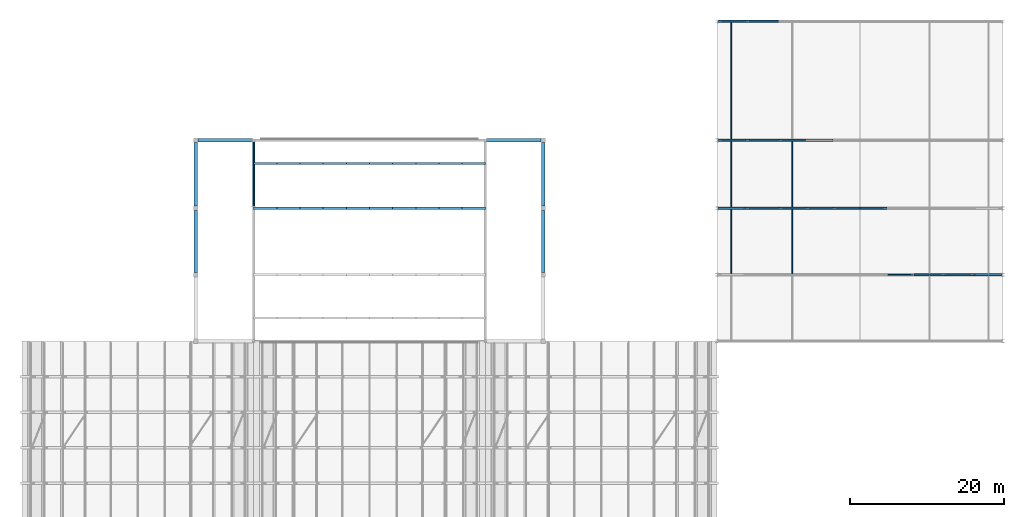
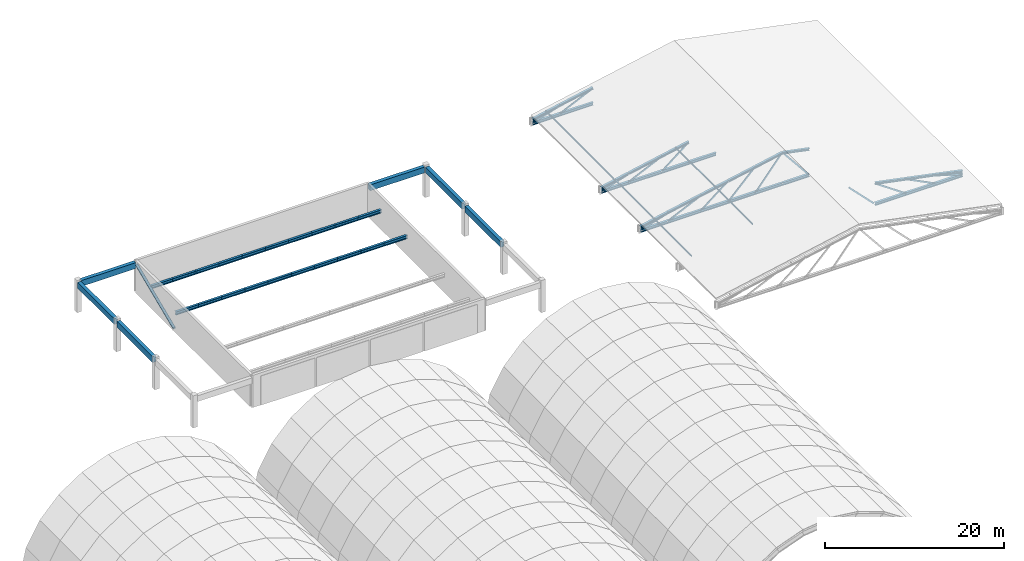
# One storey, part 17 of 47: 65 members, 11 beams.
"""IFC4 building model written with IfcOpenShell, lengths in metres."""

from ifc_helpers import new_model, si_unit, direction, frame, origin, origin_2d, place, context, subcontext, project, spatial, rectangle, hollow_rectangle, hollow_circle, i_section, extrude, material, material_profile, profile_set, type_object, element, save


model = new_model("IFC4")

# Units and contexts
model_context = context("Model", 3, precision=1e-05, world=origin(), true_north=direction((0.0, 1.0)))
body_context = subcontext(model_context, "Body", "Model", "MODEL_VIEW")
ifc_project = project(units=[si_unit("LENGTHUNIT", "METRE"), si_unit("AREAUNIT", "SQUARE_METRE"), si_unit("VOLUMEUNIT", "CUBIC_METRE"), si_unit("PLANEANGLEUNIT", "RADIAN"), si_unit("MASSUNIT", "GRAM", prefix="KILO")], contexts=[model_context])

# Site, building, storey
site_placement = place(None, origin())
site = spatial("IfcSite", under=ifc_project, at=site_placement, CompositionType="ELEMENT")
building_placement = place(site_placement, origin())
building = spatial("IfcBuilding", under=site, at=building_placement, Name="Muzn Square Opera House", CompositionType="ELEMENT")
storey_placement = place(building_placement, frame((0.0, 0.0, 31.0)))
storey = spatial("IfcBuildingStorey", under=building, at=storey_placement, Name="RF-1", CompositionType="ELEMENT", Elevation=31.0)

# Members
ifc_material_1 = material(Name="Steel S355", Category="steel")
ifc_material_profile_1 = material_profile(ifc_material_1, hollow_circle(Radius=0.177734375, WallThickness=0.02001953125, at=origin_2d()), Name="CHS 355.6x20", Category="steel")
ifc_profile_set_1 = profile_set([ifc_material_profile_1], Name="Steel S355")
member_type_1 = type_object("IfcMemberType", Name="Heavy Corner Strut CHS356", PredefinedType="STRUT", material=ifc_profile_set_1)
member_1_placement = place(storey_placement, frame((73.0, 90.02001953125, 0.199951171875), z_axis=(0.0, 0.919647113679, 0.392745701825), x_axis=(-1.0, 0.0, 0.0)))
element("IfcMember", 1, at=member_1_placement, inside=storey, type_object=member_type_1, Name="Lateral Frame Brace SBRC-07", PredefinedType="STRUT", context=body_context, shape_type="SweptSolid", body=[
    extrude(hollow_circle(Radius=0.177734375, WallThickness=0.02001953125, at=origin_2d()), origin(), (0.0, 0.0, 1.0), 9.16650390625),
])
ifc_material_profile_2 = material_profile(ifc_material_1, hollow_rectangle(XDim=0.10009765625, YDim=0.199951171875, WallThickness=0.008056640625, at=origin_2d()), Name="RHS 200x100x8", Category="steel")
ifc_profile_set_2 = profile_set([ifc_material_profile_2], Name="Steel S355")
member_type_2 = type_object("IfcMemberType", Name="Pavilion Truss Brace RHS200x100", PredefinedType="BRACE", material=ifc_profile_set_2)
member_2_placement = place(storey_placement, frame((158.35009765625, 81.199951171875, -7.239990234375), z_axis=(-0.700529716954, 0.0, 0.713623230889), x_axis=(0.0, -1.0, 0.0)))
element("IfcMember", 2, at=member_2_placement, inside=storey, type_object=member_type_2, Name="Rehearsal Roof Truss Diagonal T2-6", PredefinedType="BRACE", context=body_context, shape_type="SweptSolid", body=[
    extrude(hollow_rectangle(XDim=0.10009765625, YDim=0.199951171875, WallThickness=0.008056640625, at=origin_2d()), origin(), (0.0, 0.0, 1.0), 4.568359375),
])
member_3_placement = place(storey_placement, frame((162.35009765625, 81.199951171875, -7.239990234375), z_axis=(-0.822360143896, 0.0, 0.568967304625), x_axis=(0.0, -1.0, 0.0)))
element("IfcMember", 3, at=member_3_placement, inside=storey, type_object=member_type_2, Name="Rehearsal Roof Truss Diagonal T2-7", PredefinedType="BRACE", context=body_context, shape_type="SweptSolid", body=[
    extrude(hollow_rectangle(XDim=0.10009765625, YDim=0.199951171875, WallThickness=0.008056640625, at=origin_2d()), origin(), (0.0, 0.0, 1.0), 4.49951171875),
])
member_4_placement = place(storey_placement, frame((166.14990234375, 81.199951171875, -7.239990234375), z_axis=(-0.893402826425, 0.0, 0.44925648547), x_axis=(0.0, -1.0, 0.0)))
element("IfcMember", 4, at=member_4_placement, inside=storey, type_object=member_type_2, Name="Rehearsal Roof Truss Diagonal T2-8", PredefinedType="BRACE", context=body_context, shape_type="SweptSolid", body=[
    extrude(hollow_rectangle(XDim=0.10009765625, YDim=0.199951171875, WallThickness=0.008056640625, at=origin_2d()), origin(), (0.0, 0.0, 1.0), 3.917724609375),
])
member_5_placement = place(storey_placement, frame((136.85009765625, 89.800048828125, -7.239990234375), z_axis=(0.906752115722, 0.0, 0.421664085064), x_axis=(0.0, 1.0, 0.0)))
element("IfcMember", 5, at=member_5_placement, inside=storey, type_object=member_type_2, Name="Rehearsal Roof Truss Diagonal T3-1", PredefinedType="BRACE", context=body_context, shape_type="SweptSolid", body=[
    extrude(hollow_rectangle(XDim=0.10009765625, YDim=0.199951171875, WallThickness=0.008056640625, at=origin_2d()), origin(), (0.0, 0.0, 1.0), 4.411376953125),
])
member_6_placement = place(storey_placement, frame((141.14990234375, 89.800048828125, -7.239990234375), z_axis=(0.780880433271, 0.0, 0.624680517492), x_axis=(0.0, 1.0, 0.0)))
element("IfcMember", 6, at=member_6_placement, inside=storey, type_object=member_type_2, Name="Rehearsal Roof Truss Diagonal T3-2", PredefinedType="BRACE", context=body_context, shape_type="SweptSolid", body=[
    extrude(hollow_rectangle(XDim=0.10009765625, YDim=0.199951171875, WallThickness=0.008056640625, at=origin_2d()), origin(), (0.0, 0.0, 1.0), 4.09814453125),
])
member_7_placement = place(storey_placement, frame((144.64990234375, 89.800048828125, -7.239990234375), z_axis=(0.700529716954, 0.0, 0.713623230889), x_axis=(0.0, 1.0, 0.0)))
element("IfcMember", 7, at=member_7_placement, inside=storey, type_object=member_type_2, Name="Rehearsal Roof Truss Diagonal T3-3", PredefinedType="BRACE", context=body_context, shape_type="SweptSolid", body=[
    extrude(hollow_rectangle(XDim=0.10009765625, YDim=0.199951171875, WallThickness=0.008056640625, at=origin_2d()), origin(), (0.0, 0.0, 1.0), 4.568359375),
])
for number, where, z_axis, x_axis, name in (
    (8, (148.14990234375, 89.800048828125, -7.239990234375), (0.62854691989, 0.0, 0.777771669256), (0.0, 1.0, 0.0), "Rehearsal Roof Truss Diagonal T3-4"),
    (9, (154.85009765625, 89.800048828125, -7.239990234375), (-0.62854691989, 0.0, 0.777771669256), (0.0, -1.0, 0.0), "Rehearsal Roof Truss Diagonal T3-5"),
):
    element("IfcMember", number, at=place(storey_placement, frame(where, z_axis=z_axis, x_axis=x_axis)), inside=storey, type_object=member_type_2, Name=name, PredefinedType="BRACE", context=body_context, shape_type="SweptSolid", body=[
        extrude(hollow_rectangle(XDim=0.10009765625, YDim=0.199951171875, WallThickness=0.008056640625, at=origin_2d()), origin(), (0.0, 0.0, 1.0), 5.09130859375),
    ])
member_8_placement = place(storey_placement, frame((136.85009765625, 98.60009765625, -7.239990234375), z_axis=(0.906752115722, 0.0, 0.421664085064), x_axis=(0.0, 1.0, 0.0)))
element("IfcMember", 10, at=member_8_placement, inside=storey, type_object=member_type_2, Name="Rehearsal Roof Truss Diagonal T4-1", PredefinedType="BRACE", context=body_context, shape_type="SweptSolid", body=[
    extrude(hollow_rectangle(XDim=0.10009765625, YDim=0.199951171875, WallThickness=0.008056640625, at=origin_2d()), origin(), (0.0, 0.0, 1.0), 4.411376953125),
])
member_9_placement = place(storey_placement, frame((141.14990234375, 98.60009765625, -7.239990234375), z_axis=(0.780880433271, 0.0, 0.624680517492), x_axis=(0.0, 1.0, 0.0)))
element("IfcMember", 11, at=member_9_placement, inside=storey, type_object=member_type_2, Name="Rehearsal Roof Truss Diagonal T4-2", PredefinedType="BRACE", context=body_context, shape_type="SweptSolid", body=[
    extrude(hollow_rectangle(XDim=0.10009765625, YDim=0.199951171875, WallThickness=0.008056640625, at=origin_2d()), origin(), (0.0, 0.0, 1.0), 4.09814453125),
])
member_10_placement = place(storey_placement, frame((136.85009765625, 114.0, -7.239990234375), z_axis=(0.906752115722, 0.0, 0.421664085064), x_axis=(0.0, 1.0, 0.0)))
element("IfcMember", 12, at=member_10_placement, inside=storey, type_object=member_type_2, Name="Rehearsal Roof Truss Diagonal T5-1", PredefinedType="BRACE", context=body_context, shape_type="SweptSolid", body=[
    extrude(hollow_rectangle(XDim=0.10009765625, YDim=0.199951171875, WallThickness=0.008056640625, at=origin_2d()), origin(), (0.0, 0.0, 1.0), 4.411376953125),
])
ifc_material_profile_3 = material_profile(ifc_material_1, hollow_rectangle(XDim=0.14990234375, YDim=0.25, WallThickness=0.010009765625, at=origin_2d()), Name="RHS 250x150x10", Category="steel")
ifc_profile_set_3 = profile_set([ifc_material_profile_3], Name="Steel S355")
member_type_3 = type_object("IfcMemberType", Name="Pavilion Truss Brace RHS250x150", PredefinedType="BRACE", material=ifc_profile_set_3)
for number, where, z_axis, x_axis, name in (
    (13, (169.719970703125, 81.199951171875, -7.239990234375), (-0.95628392793, 0.0, 0.292439821472), (0.0, -1.0, 0.0), "Rehearsal Roof Truss Diagonal T2-9"),
    (14, (133.280029296875, 89.800048828125, -7.239990234375), (0.95628392793, 0.0, 0.292439821472), (0.0, 1.0, 0.0), "Rehearsal Roof Truss Diagonal T3-0"),
    (15, (133.280029296875, 98.60009765625, -7.239990234375), (0.95628392793, 0.0, 0.292439821472), (0.0, 1.0, 0.0), "Rehearsal Roof Truss Diagonal T4-0"),
    (16, (133.280029296875, 114.0, -7.239990234375), (0.95628392793, 0.0, 0.292439821472), (0.0, 1.0, 0.0), "Rehearsal Roof Truss Diagonal T5-0"),
):
    element("IfcMember", number, at=place(storey_placement, frame(where, z_axis=z_axis, x_axis=x_axis)), inside=storey, type_object=member_type_3, Name=name, PredefinedType="BRACE", context=body_context, shape_type="SweptSolid", body=[
        extrude(hollow_rectangle(XDim=0.14990234375, YDim=0.25, WallThickness=0.010009765625, at=origin_2d()), origin(), (0.0, 0.0, 1.0), 3.41943359375),
    ])

# Beams
ifc_material_2 = material(Name="Concrete C40/50", Category="concrete")
ifc_material_profile_4 = material_profile(ifc_material_2, rectangle(XDim=0.449951171875, YDim=0.800048828125, at=origin_2d()), Name="RCB 450x800", Category="concrete")
ifc_profile_set_4 = profile_set([ifc_material_profile_4], Name="Concrete C40/50")
beam_type_1 = type_object("IfcBeamType", Name="Primary Girder 450x800", PredefinedType="BEAM", material=ifc_profile_set_4)
for number, where, z_axis, x_axis, name in (
    (17, (65.7919921875, 98.60009765625, 3.75), (1.0, 0.0, 0.0), (0.0, 1.0, 0.0), "Primary Girder BM-RF1-BM-PG800-658_986_729_986-2770"),
    (18, (103.14208984375, 98.60009765625, 3.75), (1.0, 0.0, 0.0), (0.0, 1.0, 0.0), "Primary Girder BM-RF1-BM-PG800-1031_986_1102_986-2771"),
):
    element("IfcBeam", number, at=place(storey_placement, frame(where, z_axis=z_axis, x_axis=x_axis)), inside=storey, type_object=beam_type_1, Name=name, PredefinedType="BEAM", context=body_context, shape_type="SweptSolid", body=[
        extrude(rectangle(XDim=0.449951171875, YDim=0.800048828125, at=origin_2d()), origin(), (0.0, 0.0, 1.0), 7.06591796875),
    ])
beam_1_placement = place(storey_placement, frame((65.5, 81.491943359375, 3.75), z_axis=(0.0, 1.0, 0.0), x_axis=(-1.0, 0.0, 0.0)))
element("IfcBeam", 19, at=beam_1_placement, inside=storey, type_object=beam_type_1, Name="Primary Girder BM-RF1-BM-PG800-655_815_655_895-2773", PredefinedType="BEAM", context=body_context, shape_type="SweptSolid", body=[
    extrude(rectangle(XDim=0.449951171875, YDim=0.800048828125, at=origin_2d()), origin(), (0.0, 0.0, 1.0), 8.01611328125),
])
beam_2_placement = place(storey_placement, frame((65.5, 90.092041015625, 3.75), z_axis=(0.0, 1.0, 0.0), x_axis=(-1.0, 0.0, 0.0)))
element("IfcBeam", 20, at=beam_2_placement, inside=storey, type_object=beam_type_1, Name="Primary Girder BM-RF1-BM-PG800-655_901_655_983-2774", PredefinedType="BEAM", context=body_context, shape_type="SweptSolid", body=[
    extrude(rectangle(XDim=0.449951171875, YDim=0.800048828125, at=origin_2d()), origin(), (0.0, 0.0, 1.0), 8.216064453125),
])
beam_3_placement = place(storey_placement, frame((110.5, 81.491943359375, 3.75), z_axis=(0.0, 1.0, 0.0), x_axis=(-1.0, 0.0, 0.0)))
element("IfcBeam", 21, at=beam_3_placement, inside=storey, type_object=beam_type_1, Name="Primary Girder BM-RF1-BM-PG800-1105_815_1105_895-2776", PredefinedType="BEAM", context=body_context, shape_type="SweptSolid", body=[
    extrude(rectangle(XDim=0.449951171875, YDim=0.800048828125, at=origin_2d()), origin(), (0.0, 0.0, 1.0), 8.01611328125),
])
beam_4_placement = place(storey_placement, frame((110.5, 90.092041015625, 3.75), z_axis=(0.0, 1.0, 0.0), x_axis=(-1.0, 0.0, 0.0)))
element("IfcBeam", 22, at=beam_4_placement, inside=storey, type_object=beam_type_1, Name="Primary Girder BM-RF1-BM-PG800-1105_901_1105_983-2777", PredefinedType="BEAM", context=body_context, shape_type="SweptSolid", body=[
    extrude(rectangle(XDim=0.449951171875, YDim=0.800048828125, at=origin_2d()), origin(), (0.0, 0.0, 1.0), 8.216064453125),
])

# Members
ifc_material_profile_5 = material_profile(ifc_material_1, i_section(OverallWidth=0.300048828125, OverallDepth=0.389892578125, WebThickness=0.010986328125, FlangeThickness=0.01904296875, FilletRadius=0.027099609375, at=origin_2d()), Name="HEA 400", Category="steel")
ifc_profile_set_5 = profile_set([ifc_material_profile_5], Name="Steel S355")
member_type_4 = type_object("IfcMemberType", Name="Rehearsal Truss Chord HEA400", PredefinedType="CHORD", material=ifc_profile_set_5)
member_11_placement = place(storey_placement, frame((158.510009765625, 81.199951171875, -7.3798828125), z_axis=(1.0, 0.0, 0.0), x_axis=(0.0, 1.0, 0.0)))
element("IfcMember", 23, at=member_11_placement, inside=storey, type_object=member_type_4, Name="Rehearsal Roof Truss Bottom Chord T2-7", PredefinedType="CHORD", context=body_context, shape_type="SweptSolid", body=[
    extrude(i_section(OverallWidth=0.300048828125, OverallDepth=0.389892578125, WebThickness=0.010986328125, FlangeThickness=0.01904296875, FilletRadius=0.027099609375, at=origin_2d()), origin(), (0.0, 0.0, 1.0), 3.97998046875),
])
member_12_placement = place(storey_placement, frame((162.510009765625, 81.199951171875, -7.3798828125), z_axis=(1.0, 0.0, 0.0), x_axis=(0.0, 1.0, 0.0)))
element("IfcMember", 24, at=member_12_placement, inside=storey, type_object=member_type_4, Name="Rehearsal Roof Truss Bottom Chord T2-8", PredefinedType="CHORD", context=body_context, shape_type="SweptSolid", body=[
    extrude(i_section(OverallWidth=0.300048828125, OverallDepth=0.389892578125, WebThickness=0.010986328125, FlangeThickness=0.01904296875, FilletRadius=0.027099609375, at=origin_2d()), origin(), (0.0, 0.0, 1.0), 3.780029296875),
])
for number, where, z_axis, x_axis, name in (
    (25, (166.31005859375, 81.199951171875, -7.3798828125), (1.0, 0.0, 0.0), (0.0, 1.0, 0.0), "Rehearsal Roof Truss Bottom Chord T2-9"),
    (26, (133.139892578125, 89.800048828125, -7.3798828125), (1.0, 0.0, 0.0), (0.0, 1.0, 0.0), "Rehearsal Roof Truss Bottom Chord T3-0"),
):
    element("IfcMember", number, at=place(storey_placement, frame(where, z_axis=z_axis, x_axis=x_axis)), inside=storey, type_object=member_type_4, Name=name, PredefinedType="CHORD", context=body_context, shape_type="SweptSolid", body=[
        extrude(i_section(OverallWidth=0.300048828125, OverallDepth=0.389892578125, WebThickness=0.010986328125, FlangeThickness=0.01904296875, FilletRadius=0.027099609375, at=origin_2d()), origin(), (0.0, 0.0, 1.0), 3.550048828125),
    ])
member_13_placement = place(storey_placement, frame((136.7099609375, 89.800048828125, -7.3798828125), z_axis=(1.0, 0.0, 0.0), x_axis=(0.0, 1.0, 0.0)))
element("IfcMember", 27, at=member_13_placement, inside=storey, type_object=member_type_4, Name="Rehearsal Roof Truss Bottom Chord T3-1", PredefinedType="CHORD", context=body_context, shape_type="SweptSolid", body=[
    extrude(i_section(OverallWidth=0.300048828125, OverallDepth=0.389892578125, WebThickness=0.010986328125, FlangeThickness=0.01904296875, FilletRadius=0.027099609375, at=origin_2d()), origin(), (0.0, 0.0, 1.0), 4.280029296875),
])
for number, where, z_axis, x_axis, name in (
    (28, (141.010009765625, 89.800048828125, -7.3798828125), (1.0, 0.0, 0.0), (0.0, 1.0, 0.0), "Rehearsal Roof Truss Bottom Chord T3-2"),
    (29, (144.510009765625, 89.800048828125, -7.3798828125), (1.0, 0.0, 0.0), (0.0, 1.0, 0.0), "Rehearsal Roof Truss Bottom Chord T3-3"),
    (30, (148.010009765625, 89.800048828125, -7.3798828125), (1.0, 0.0, 0.0), (0.0, 1.0, 0.0), "Rehearsal Roof Truss Bottom Chord T3-4"),
    (31, (151.510009765625, 89.800048828125, -7.3798828125), (1.0, 0.0, 0.0), (0.0, 1.0, 0.0), "Rehearsal Roof Truss Bottom Chord T3-5"),
):
    element("IfcMember", number, at=place(storey_placement, frame(where, z_axis=z_axis, x_axis=x_axis)), inside=storey, type_object=member_type_4, Name=name, PredefinedType="CHORD", context=body_context, shape_type="SweptSolid", body=[
        extrude(i_section(OverallWidth=0.300048828125, OverallDepth=0.389892578125, WebThickness=0.010986328125, FlangeThickness=0.01904296875, FilletRadius=0.027099609375, at=origin_2d()), origin(), (0.0, 0.0, 1.0), 3.47998046875),
    ])
member_14_placement = place(storey_placement, frame((133.139892578125, 98.60009765625, -7.3798828125), z_axis=(1.0, 0.0, 0.0), x_axis=(0.0, 1.0, 0.0)))
element("IfcMember", 32, at=member_14_placement, inside=storey, type_object=member_type_4, Name="Rehearsal Roof Truss Bottom Chord T4-0", PredefinedType="CHORD", context=body_context, shape_type="SweptSolid", body=[
    extrude(i_section(OverallWidth=0.300048828125, OverallDepth=0.389892578125, WebThickness=0.010986328125, FlangeThickness=0.01904296875, FilletRadius=0.027099609375, at=origin_2d()), origin(), (0.0, 0.0, 1.0), 3.550048828125),
])
member_15_placement = place(storey_placement, frame((136.7099609375, 98.60009765625, -7.3798828125), z_axis=(1.0, 0.0, 0.0), x_axis=(0.0, 1.0, 0.0)))
element("IfcMember", 33, at=member_15_placement, inside=storey, type_object=member_type_4, Name="Rehearsal Roof Truss Bottom Chord T4-1", PredefinedType="CHORD", context=body_context, shape_type="SweptSolid", body=[
    extrude(i_section(OverallWidth=0.300048828125, OverallDepth=0.389892578125, WebThickness=0.010986328125, FlangeThickness=0.01904296875, FilletRadius=0.027099609375, at=origin_2d()), origin(), (0.0, 0.0, 1.0), 4.280029296875),
])
for number, where, z_axis, x_axis, name in (
    (34, (141.010009765625, 98.60009765625, -7.3798828125), (1.0, 0.0, 0.0), (0.0, 1.0, 0.0), "Rehearsal Roof Truss Bottom Chord T4-2"),
    (35, (144.510009765625, 98.60009765625, -7.3798828125), (1.0, 0.0, 0.0), (0.0, 1.0, 0.0), "Rehearsal Roof Truss Bottom Chord T4-3"),
):
    element("IfcMember", number, at=place(storey_placement, frame(where, z_axis=z_axis, x_axis=x_axis)), inside=storey, type_object=member_type_4, Name=name, PredefinedType="CHORD", context=body_context, shape_type="SweptSolid", body=[
        extrude(i_section(OverallWidth=0.300048828125, OverallDepth=0.389892578125, WebThickness=0.010986328125, FlangeThickness=0.01904296875, FilletRadius=0.027099609375, at=origin_2d()), origin(), (0.0, 0.0, 1.0), 3.47998046875),
    ])
member_16_placement = place(storey_placement, frame((133.139892578125, 114.0, -7.3798828125), z_axis=(1.0, 0.0, 0.0), x_axis=(0.0, 1.0, 0.0)))
element("IfcMember", 36, at=member_16_placement, inside=storey, type_object=member_type_4, Name="Rehearsal Roof Truss Bottom Chord T5-0", PredefinedType="CHORD", context=body_context, shape_type="SweptSolid", body=[
    extrude(i_section(OverallWidth=0.300048828125, OverallDepth=0.389892578125, WebThickness=0.010986328125, FlangeThickness=0.01904296875, FilletRadius=0.027099609375, at=origin_2d()), origin(), (0.0, 0.0, 1.0), 3.550048828125),
])
member_17_placement = place(storey_placement, frame((136.7099609375, 114.0, -7.3798828125), z_axis=(1.0, 0.0, 0.0), x_axis=(0.0, 1.0, 0.0)))
element("IfcMember", 37, at=member_17_placement, inside=storey, type_object=member_type_4, Name="Rehearsal Roof Truss Bottom Chord T5-1", PredefinedType="CHORD", context=body_context, shape_type="SweptSolid", body=[
    extrude(i_section(OverallWidth=0.300048828125, OverallDepth=0.389892578125, WebThickness=0.010986328125, FlangeThickness=0.01904296875, FilletRadius=0.027099609375, at=origin_2d()), origin(), (0.0, 0.0, 1.0), 4.280029296875),
])

# Beams
ifc_material_profile_6 = material_profile(ifc_material_1, i_section(OverallWidth=0.10009765625, OverallDepth=0.199951171875, WebThickness=0.005615234375, FlangeThickness=0.008544921875, FilletRadius=0.011962890625, at=origin_2d()), Name="IPE 200", Category="steel")
ifc_profile_set_6 = profile_set([ifc_material_profile_6], Name="Steel S355")
beam_type_2 = type_object("IfcBeamType", Name="Roof Purlin IPE200", PredefinedType="USERDEFINED", material=ifc_profile_set_6)
beam_5_placement = place(storey_placement, frame((134.85009765625, 81.219970703125, -6.2529296875), z_axis=(0.0, 1.0, 0.0), x_axis=(-1.0, 0.0, 0.0)))
element("IfcBeam", 38, at=beam_5_placement, inside=storey, type_object=beam_type_2, Name="Rehearsal Roof Purlin RHPU-01-1", ObjectType="PURLIN", PredefinedType="USERDEFINED", context=body_context, shape_type="SweptSolid", body=[
    extrude(i_section(OverallWidth=0.10009765625, OverallDepth=0.199951171875, WebThickness=0.005615234375, FlangeThickness=0.008544921875, FilletRadius=0.011962890625, at=origin_2d()), origin(), (0.0, 0.0, 1.0), 8.56005859375),
])
beam_6_placement = place(storey_placement, frame((134.85009765625, 89.820068359375, -6.2529296875), z_axis=(0.0, 1.0, 0.0), x_axis=(-1.0, 0.0, 0.0)))
element("IfcBeam", 39, at=beam_6_placement, inside=storey, type_object=beam_type_2, Name="Rehearsal Roof Purlin RHPU-01-2", ObjectType="PURLIN", PredefinedType="USERDEFINED", context=body_context, shape_type="SweptSolid", body=[
    extrude(i_section(OverallWidth=0.10009765625, OverallDepth=0.199951171875, WebThickness=0.005615234375, FlangeThickness=0.008544921875, FilletRadius=0.011962890625, at=origin_2d()), origin(), (0.0, 0.0, 1.0), 8.760009765625),
])
beam_7_placement = place(storey_placement, frame((134.85009765625, 98.6201171875, -6.2529296875), z_axis=(0.0, 1.0, 0.0), x_axis=(-1.0, 0.0, 0.0)))
element("IfcBeam", 40, at=beam_7_placement, inside=storey, type_object=beam_type_2, Name="Rehearsal Roof Purlin RHPU-01-3", ObjectType="PURLIN", PredefinedType="USERDEFINED", context=body_context, shape_type="SweptSolid", body=[
    extrude(i_section(OverallWidth=0.10009765625, OverallDepth=0.199951171875, WebThickness=0.005615234375, FlangeThickness=0.008544921875, FilletRadius=0.011962890625, at=origin_2d()), origin(), (0.0, 0.0, 1.0), 15.35986328125),
])
beam_8_placement = place(storey_placement, frame((142.75, 81.219970703125, -4.673095703125), z_axis=(0.0, 1.0, 0.0), x_axis=(-1.0, 0.0, 0.0)))
element("IfcBeam", 41, at=beam_8_placement, inside=storey, type_object=beam_type_2, Name="Rehearsal Roof Purlin RHPU-02-1", ObjectType="PURLIN", PredefinedType="USERDEFINED", context=body_context, shape_type="SweptSolid", body=[
    extrude(i_section(OverallWidth=0.10009765625, OverallDepth=0.199951171875, WebThickness=0.005615234375, FlangeThickness=0.008544921875, FilletRadius=0.011962890625, at=origin_2d()), origin(), (0.0, 0.0, 1.0), 8.56005859375),
])
beam_9_placement = place(storey_placement, frame((142.75, 89.820068359375, -4.673095703125), z_axis=(0.0, 1.0, 0.0), x_axis=(-1.0, 0.0, 0.0)))
element("IfcBeam", 42, at=beam_9_placement, inside=storey, type_object=beam_type_2, Name="Rehearsal Roof Purlin RHPU-02-2", ObjectType="PURLIN", PredefinedType="USERDEFINED", context=body_context, shape_type="SweptSolid", body=[
    extrude(i_section(OverallWidth=0.10009765625, OverallDepth=0.199951171875, WebThickness=0.005615234375, FlangeThickness=0.008544921875, FilletRadius=0.011962890625, at=origin_2d()), origin(), (0.0, 0.0, 1.0), 8.760009765625),
])

# Members
ifc_material_profile_7 = material_profile(ifc_material_1, i_section(OverallWidth=0.300048828125, OverallDepth=0.2900390625, WebThickness=0.008544921875, FlangeThickness=0.013916015625, FilletRadius=0.027099609375, at=origin_2d()), Name="HEA 300", Category="steel")
ifc_profile_set_7 = profile_set([ifc_material_profile_7], Name="Steel S355")
member_type_5 = type_object("IfcMemberType", Name="Secondary Truss Chord HEA300", PredefinedType="CHORD", material=ifc_profile_set_7)
member_18_placement = place(storey_placement, frame((158.510009765625, 81.199951171875, -4.56005859375), z_axis=(0.980388223218, 0.0, -0.19707595433), x_axis=(0.0, 1.0, 0.0)))
element("IfcMember", 43, at=member_18_placement, inside=storey, type_object=member_type_5, Name="Rehearsal Roof Truss Top Chord T2-7", PredefinedType="CHORD", context=body_context, shape_type="SweptSolid", body=[
    extrude(i_section(OverallWidth=0.300048828125, OverallDepth=0.2900390625, WebThickness=0.008544921875, FlangeThickness=0.013916015625, FilletRadius=0.027099609375, at=origin_2d()), origin(), (0.0, 0.0, 1.0), 4.0595703125),
])
member_19_placement = place(storey_placement, frame((162.510009765625, 81.199951171875, -5.360107421875), z_axis=(0.980380466404, 0.0, -0.197114538004), x_axis=(0.0, 1.0, 0.0)))
element("IfcMember", 44, at=member_19_placement, inside=storey, type_object=member_type_5, Name="Rehearsal Roof Truss Top Chord T2-8", PredefinedType="CHORD", context=body_context, shape_type="SweptSolid", body=[
    extrude(i_section(OverallWidth=0.300048828125, OverallDepth=0.2900390625, WebThickness=0.008544921875, FlangeThickness=0.013916015625, FilletRadius=0.027099609375, at=origin_2d()), origin(), (0.0, 0.0, 1.0), 3.855712890625),
])
for number, where, z_axis, x_axis, name in (
    (45, (166.31005859375, 81.199951171875, -6.1201171875), (0.978958570223, 0.0, -0.204059103662), (0.0, 1.0, 0.0), "Rehearsal Roof Truss Top Chord T2-9"),
    (46, (133.139892578125, 89.800048828125, -6.860107421875), (0.978958570223, 0.0, 0.204059103662), (0.0, 1.0, 0.0), "Rehearsal Roof Truss Top Chord T3-0"),
):
    element("IfcMember", number, at=place(storey_placement, frame(where, z_axis=z_axis, x_axis=x_axis)), inside=storey, type_object=member_type_5, Name=name, PredefinedType="CHORD", context=body_context, shape_type="SweptSolid", body=[
        extrude(i_section(OverallWidth=0.300048828125, OverallDepth=0.2900390625, WebThickness=0.008544921875, FlangeThickness=0.013916015625, FilletRadius=0.027099609375, at=origin_2d()), origin(), (0.0, 0.0, 1.0), 3.62646484375),
    ])
member_20_placement = place(storey_placement, frame((136.7099609375, 89.800048828125, -6.1201171875), z_axis=(0.980399582769, 0.0, 0.197019435862), x_axis=(0.0, 1.0, 0.0)))
element("IfcMember", 47, at=member_20_placement, inside=storey, type_object=member_type_5, Name="Rehearsal Roof Truss Top Chord T3-1", PredefinedType="CHORD", context=body_context, shape_type="SweptSolid", body=[
    extrude(i_section(OverallWidth=0.300048828125, OverallDepth=0.2900390625, WebThickness=0.008544921875, FlangeThickness=0.013916015625, FilletRadius=0.027099609375, at=origin_2d()), origin(), (0.0, 0.0, 1.0), 4.365478515625),
])
for number, where, z_axis, x_axis, name in (
    (48, (141.010009765625, 89.800048828125, -5.260009765625), (0.980365819583, 0.0, 0.197187372299), (0.0, 1.0, 0.0), "Rehearsal Roof Truss Top Chord T3-2"),
    (49, (144.510009765625, 89.800048828125, -4.56005859375), (0.980365819583, 0.0, 0.197187372299), (0.0, 1.0, 0.0), "Rehearsal Roof Truss Top Chord T3-3"),
):
    element("IfcMember", number, at=place(storey_placement, frame(where, z_axis=z_axis, x_axis=x_axis)), inside=storey, type_object=member_type_5, Name=name, PredefinedType="CHORD", context=body_context, shape_type="SweptSolid", body=[
        extrude(i_section(OverallWidth=0.300048828125, OverallDepth=0.2900390625, WebThickness=0.008544921875, FlangeThickness=0.013916015625, FilletRadius=0.027099609375, at=origin_2d()), origin(), (0.0, 0.0, 1.0), 3.549560546875),
    ])
for number, where, z_axis, x_axis, name in (
    (50, (148.010009765625, 89.800048828125, -3.860107421875), (0.980352521606, 0.0, 0.197253474952), (0.0, 1.0, 0.0), "Rehearsal Roof Truss Top Chord T3-4"),
    (51, (151.510009765625, 89.800048828125, -3.159912109375), (0.980352521606, 0.0, -0.197253474952), (0.0, 1.0, 0.0), "Rehearsal Roof Truss Top Chord T3-5"),
):
    element("IfcMember", number, at=place(storey_placement, frame(where, z_axis=z_axis, x_axis=x_axis)), inside=storey, type_object=member_type_5, Name=name, PredefinedType="CHORD", context=body_context, shape_type="SweptSolid", body=[
        extrude(i_section(OverallWidth=0.300048828125, OverallDepth=0.2900390625, WebThickness=0.008544921875, FlangeThickness=0.013916015625, FilletRadius=0.027099609375, at=origin_2d()), origin(), (0.0, 0.0, 1.0), 3.5498046875),
    ])
member_21_placement = place(storey_placement, frame((133.139892578125, 98.60009765625, -6.860107421875), z_axis=(0.978958570223, 0.0, 0.204059103662), x_axis=(0.0, 1.0, 0.0)))
element("IfcMember", 52, at=member_21_placement, inside=storey, type_object=member_type_5, Name="Rehearsal Roof Truss Top Chord T4-0", PredefinedType="CHORD", context=body_context, shape_type="SweptSolid", body=[
    extrude(i_section(OverallWidth=0.300048828125, OverallDepth=0.2900390625, WebThickness=0.008544921875, FlangeThickness=0.013916015625, FilletRadius=0.027099609375, at=origin_2d()), origin(), (0.0, 0.0, 1.0), 3.62646484375),
])
member_22_placement = place(storey_placement, frame((136.7099609375, 98.60009765625, -6.1201171875), z_axis=(0.980399582769, 0.0, 0.197019435862), x_axis=(0.0, 1.0, 0.0)))
element("IfcMember", 53, at=member_22_placement, inside=storey, type_object=member_type_5, Name="Rehearsal Roof Truss Top Chord T4-1", PredefinedType="CHORD", context=body_context, shape_type="SweptSolid", body=[
    extrude(i_section(OverallWidth=0.300048828125, OverallDepth=0.2900390625, WebThickness=0.008544921875, FlangeThickness=0.013916015625, FilletRadius=0.027099609375, at=origin_2d()), origin(), (0.0, 0.0, 1.0), 4.365478515625),
])
member_23_placement = place(storey_placement, frame((141.010009765625, 98.60009765625, -5.260009765625), z_axis=(0.980365819583, 0.0, 0.197187372299), x_axis=(0.0, 1.0, 0.0)))
element("IfcMember", 54, at=member_23_placement, inside=storey, type_object=member_type_5, Name="Rehearsal Roof Truss Top Chord T4-2", PredefinedType="CHORD", context=body_context, shape_type="SweptSolid", body=[
    extrude(i_section(OverallWidth=0.300048828125, OverallDepth=0.2900390625, WebThickness=0.008544921875, FlangeThickness=0.013916015625, FilletRadius=0.027099609375, at=origin_2d()), origin(), (0.0, 0.0, 1.0), 3.549560546875),
])
member_24_placement = place(storey_placement, frame((133.139892578125, 114.0, -6.860107421875), z_axis=(0.978958570223, 0.0, 0.204059103662), x_axis=(0.0, 1.0, 0.0)))
element("IfcMember", 55, at=member_24_placement, inside=storey, type_object=member_type_5, Name="Rehearsal Roof Truss Top Chord T5-0", PredefinedType="CHORD", context=body_context, shape_type="SweptSolid", body=[
    extrude(i_section(OverallWidth=0.300048828125, OverallDepth=0.2900390625, WebThickness=0.008544921875, FlangeThickness=0.013916015625, FilletRadius=0.027099609375, at=origin_2d()), origin(), (0.0, 0.0, 1.0), 3.62646484375),
])
member_25_placement = place(storey_placement, frame((136.7099609375, 114.0, -6.1201171875), z_axis=(0.980399582769, 0.0, 0.197019435862), x_axis=(0.0, 1.0, 0.0)))
element("IfcMember", 56, at=member_25_placement, inside=storey, type_object=member_type_5, Name="Rehearsal Roof Truss Top Chord T5-1", PredefinedType="CHORD", context=body_context, shape_type="SweptSolid", body=[
    extrude(i_section(OverallWidth=0.300048828125, OverallDepth=0.2900390625, WebThickness=0.008544921875, FlangeThickness=0.013916015625, FilletRadius=0.027099609375, at=origin_2d()), origin(), (0.0, 0.0, 1.0), 4.365478515625),
])
ifc_material_profile_8 = material_profile(ifc_material_1, i_section(OverallWidth=0.300048828125, OverallDepth=0.449951171875, WebThickness=0.013916015625, FlangeThickness=0.02587890625, FilletRadius=0.027099609375, at=origin_2d()), Name="HEB 450", Category="steel")
ifc_profile_set_8 = profile_set([ifc_material_profile_8], Name="Steel S355")
member_type_6 = type_object("IfcMemberType", Name="Stage Truss Chord HEB450", PredefinedType="CHORD", material=ifc_profile_set_8)
for number, where, z_axis, x_axis, name in (
    (57, (73.0, 89.800048828125, 2.39990234375), (1.0, 0.0, 0.0), (0.0, 1.0, 0.0), "Stage Roof Truss Bottom Chord T3-0"),
    (58, (76.0, 89.800048828125, 2.39990234375), (1.0, 0.0, 0.0), (0.0, 1.0, 0.0), "Stage Roof Truss Bottom Chord T3-1"),
    (59, (79.0, 89.800048828125, 2.39990234375), (1.0, 0.0, 0.0), (0.0, 1.0, 0.0), "Stage Roof Truss Bottom Chord T3-2"),
    (60, (82.0, 89.800048828125, 2.39990234375), (1.0, 0.0, 0.0), (0.0, 1.0, 0.0), "Stage Roof Truss Bottom Chord T3-3"),
    (61, (85.0, 89.800048828125, 2.39990234375), (1.0, 0.0, 0.0), (0.0, 1.0, 0.0), "Stage Roof Truss Bottom Chord T3-4"),
    (62, (88.0, 89.800048828125, 2.39990234375), (1.0, 0.0, 0.0), (0.0, 1.0, 0.0), "Stage Roof Truss Bottom Chord T3-5"),
    (63, (91.0, 89.800048828125, 2.39990234375), (1.0, 0.0, 0.0), (0.0, 1.0, 0.0), "Stage Roof Truss Bottom Chord T3-6"),
    (64, (94.0, 89.800048828125, 2.39990234375), (1.0, 0.0, 0.0), (0.0, 1.0, 0.0), "Stage Roof Truss Bottom Chord T3-7"),
    (65, (97.0, 89.800048828125, 2.39990234375), (1.0, 0.0, 0.0), (0.0, 1.0, 0.0), "Stage Roof Truss Bottom Chord T3-8"),
    (66, (100.0, 89.800048828125, 2.39990234375), (1.0, 0.0, 0.0), (0.0, 1.0, 0.0), "Stage Roof Truss Bottom Chord T3-9"),
    (67, (73.0, 95.60009765625, 2.39990234375), (1.0, 0.0, 0.0), (0.0, 1.0, 0.0), "Stage Roof Truss Bottom Chord T4-0"),
    (68, (76.0, 95.60009765625, 2.39990234375), (1.0, 0.0, 0.0), (0.0, 1.0, 0.0), "Stage Roof Truss Bottom Chord T4-1"),
    (69, (79.0, 95.60009765625, 2.39990234375), (1.0, 0.0, 0.0), (0.0, 1.0, 0.0), "Stage Roof Truss Bottom Chord T4-2"),
    (70, (82.0, 95.60009765625, 2.39990234375), (1.0, 0.0, 0.0), (0.0, 1.0, 0.0), "Stage Roof Truss Bottom Chord T4-3"),
    (71, (85.0, 95.60009765625, 2.39990234375), (1.0, 0.0, 0.0), (0.0, 1.0, 0.0), "Stage Roof Truss Bottom Chord T4-4"),
    (72, (88.0, 95.60009765625, 2.39990234375), (1.0, 0.0, 0.0), (0.0, 1.0, 0.0), "Stage Roof Truss Bottom Chord T4-5"),
    (73, (91.0, 95.60009765625, 2.39990234375), (1.0, 0.0, 0.0), (0.0, 1.0, 0.0), "Stage Roof Truss Bottom Chord T4-6"),
    (74, (94.0, 95.60009765625, 2.39990234375), (1.0, 0.0, 0.0), (0.0, 1.0, 0.0), "Stage Roof Truss Bottom Chord T4-7"),
    (75, (97.0, 95.60009765625, 2.39990234375), (1.0, 0.0, 0.0), (0.0, 1.0, 0.0), "Stage Roof Truss Bottom Chord T4-8"),
    (76, (100.0, 95.60009765625, 2.39990234375), (1.0, 0.0, 0.0), (0.0, 1.0, 0.0), "Stage Roof Truss Bottom Chord T4-9"),
):
    element("IfcMember", number, at=place(storey_placement, frame(where, z_axis=z_axis, x_axis=x_axis)), inside=storey, type_object=member_type_6, Name=name, PredefinedType="CHORD", context=body_context, shape_type="SweptSolid", body=[
        extrude(i_section(OverallWidth=0.300048828125, OverallDepth=0.449951171875, WebThickness=0.013916015625, FlangeThickness=0.02587890625, FilletRadius=0.027099609375, at=origin_2d()), origin(), (0.0, 0.0, 1.0), 3.0),
    ])

save(model, "model.ifc")
